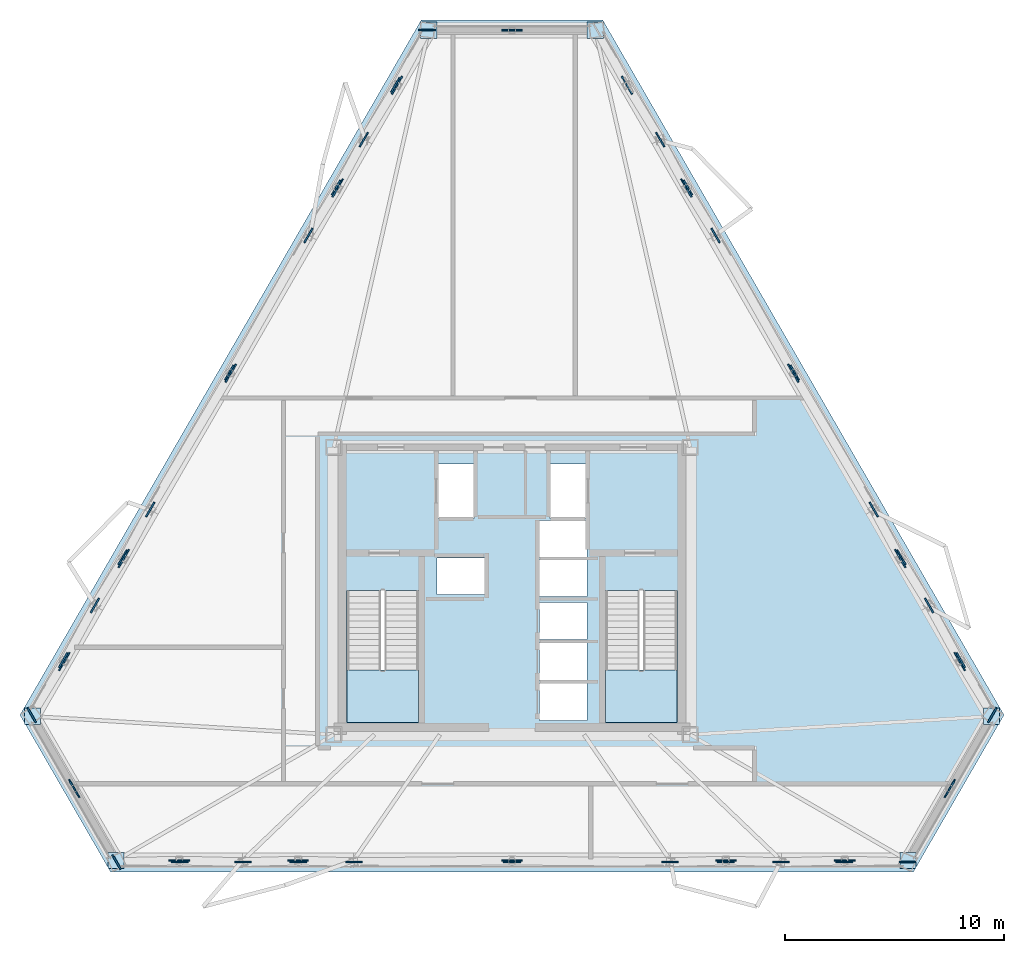
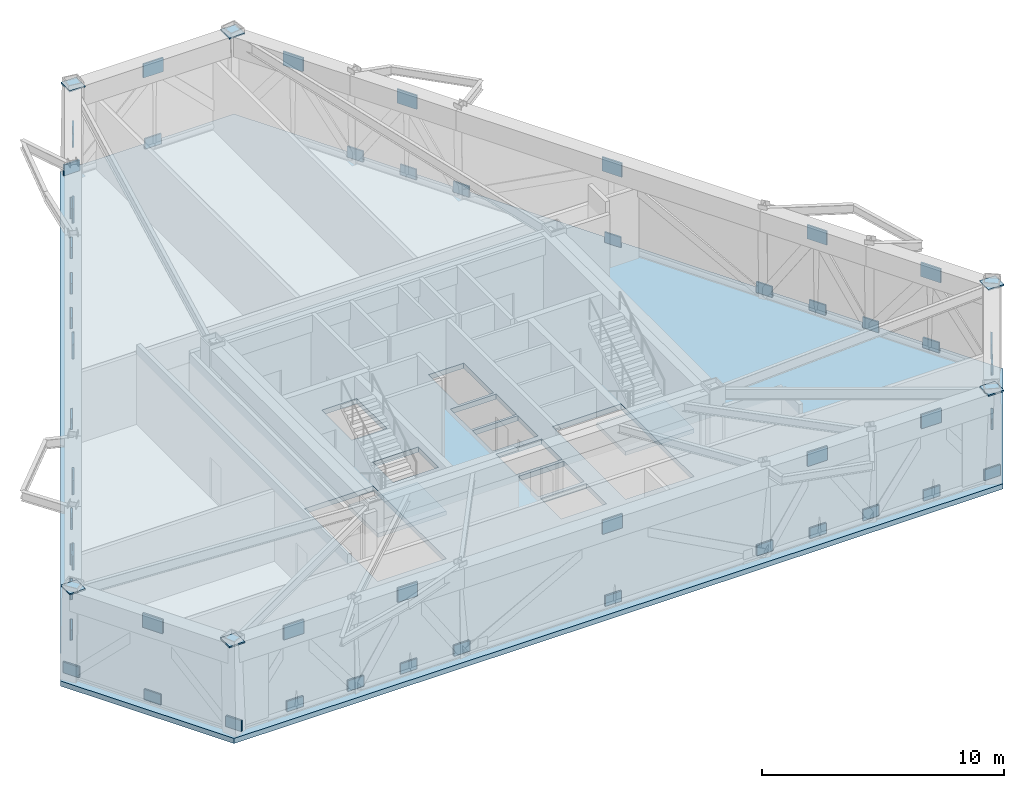
# One storey, part 5 of 10: 58 plates, 3 slabs, 2 elements without a shape of their own.
"""IFC4 building model written with IfcOpenShell, lengths in metres."""

from ifc_helpers import new_model, si_unit, direction, frame, origin, origin_2d, place, context, subcontext, project, spatial, polyline, rectangle, outline, extrude, material, layer, layer_set, type_object, element, aggregate, save


model = new_model("IFC4")

# Units and contexts
model_context = context("Model", 3, precision=1e-05, world=origin(), true_north=direction((0.0, 1.0)))
body_context = subcontext(model_context, "Body", "Model", "MODEL_VIEW")
ifc_project = project(units=[si_unit("LENGTHUNIT", "METRE"), si_unit("AREAUNIT", "SQUARE_METRE"), si_unit("VOLUMEUNIT", "CUBIC_METRE"), si_unit("PLANEANGLEUNIT", "RADIAN"), si_unit("MASSUNIT", "GRAM", prefix="KILO")], contexts=[model_context])

# Site, building, storey
site_placement = place(None, origin())
site = spatial("IfcSite", under=ifc_project, at=site_placement, CompositionType="ELEMENT")
building_placement = place(site_placement, origin())
building = spatial("IfcBuilding", under=site, at=building_placement, Name="Oramaril Tower", CompositionType="ELEMENT")
storey_placement = place(building_placement, frame((0.0, 0.0, 189.0)))
storey = spatial("IfcBuildingStorey", under=building, at=storey_placement, Name="L50", CompositionType="ELEMENT", Elevation=189.0)

# Plates
ifc_material_1 = material(Name="Steel ASTM A572 Gr 50", Category="steel")
ifc_layer_1 = layer(ifc_material_1, 0.06494140625)
ifc_layer_set_1 = layer_set([ifc_layer_1], Name="PLT-C65")
plate_type_1 = type_object("IfcPlateType", Name="PLT-C65", PredefinedType="USERDEFINED", material=ifc_layer_set_1)
for number, where, z_axis, x_axis, name in (
    (1, (15.57373046875, 11.839111328125, 4.51513671875), (0.0, 0.0, 1.0), (1.0, 0.0, 0.0), "L50 Column Cap Plate CP-01"),
    (2, (19.3828125, 5.24169921875, 4.51513671875), (0.0, 0.0, 1.0), (1.0, 0.0, 0.0), "L50 Column Cap Plate CP-02"),
    (3, (55.6171875, 5.24169921875, 4.51513671875), (0.0, 0.0, 1.0), (1.0, 0.0, 0.0), "L50 Column Cap Plate CP-03"),
    (4, (59.42626953125, 11.839111328125, 4.51513671875), (0.0, 0.0, 1.0), (1.0, 0.0, 0.0), "L50 Column Cap Plate CP-04"),
    (5, (41.30908203125, 43.21923828125, 4.51513671875), (0.0, 0.0, 1.0), (1.0, 0.0, 0.0), "L50 Column Cap Plate CP-05"),
    (6, (33.69091796875, 43.21923828125, 4.51513671875), (0.0, 0.0, 1.0), (1.0, 0.0, 0.0), "L50 Column Cap Plate CP-06"),
):
    element("IfcPlate", number, at=place(storey_placement, frame(where, z_axis=z_axis, x_axis=x_axis)), inside=storey, type_object=plate_type_1, Name=name, ObjectType="CAP", PredefinedType="USERDEFINED", context=body_context, shape_type="SweptSolid", body=[
        extrude(rectangle(XDim=0.739990234375, YDim=0.739990234375, at=origin_2d()), origin(), (0.0, 0.0, 1.0), 0.06494140625),
    ])
ifc_material_2 = material(Name="Steel ASTM A572 Gr 50", Category="steel")
ifc_layer_2 = layer(ifc_material_2, 0.074951171875)
ifc_layer_set_2 = layer_set([ifc_layer_2], Name="PLT-G75")
plate_type_2 = type_object("IfcPlateType", Name="PLT-G75", PredefinedType="USERDEFINED", material=ifc_layer_set_2)
plate_1_placement = place(storey_placement, frame((17.478271484375, 8.540283203125, 3.72998046875), z_axis=(0.0, 0.0, 1.0), x_axis=(0.4999984885, -0.866026276448, 0.0)))
element("IfcPlate", 7, at=plate_1_placement, inside=storey, type_object=plate_type_2, Name="L50 Truss Top Gusset Node KN-50A", ObjectType="GUSSET", PredefinedType="USERDEFINED", context=body_context, shape_type="SweptSolid", body=[
    extrude(rectangle(XDim=0.949951171875, YDim=0.074951171875, at=origin_2d()), origin(), (0.0, 0.0, 1.0), 0.699951171875),
])
plate_2_placement = place(storey_placement, frame((17.47021484375, 8.535888671875, 0.110107421875), z_axis=(0.0, 0.0, 1.0), x_axis=(0.4999984885, -0.866026276448, 0.0)))
element("IfcPlate", 8, at=plate_2_placement, inside=storey, type_object=plate_type_2, Name="L50 Truss Mid-Chord Gusset Node KN-50A", ObjectType="GUSSET", PredefinedType="USERDEFINED", context=body_context, shape_type="SweptSolid", body=[
    extrude(rectangle(XDim=0.780029296875, YDim=0.074951171875, at=origin_2d()), origin(), (0.0, 0.0, 1.0), 0.52001953125),
])
for number, where, z_axis, x_axis, name in (
    (9, (15.527587890625, 11.900146484375, 0.119873046875), (0.0, 0.0, 1.0), (0.4999984885, -0.866026276448, 0.0), "L50 Truss Base Gusset Node KN-50A"),
    (10, (19.41259765625, 5.17138671875, 0.119873046875), (0.0, 0.0, 1.0), (0.4999984885, -0.866026276448, 0.0), "L50 Truss Base Gusset Node KN-50A"),
):
    element("IfcPlate", number, at=place(storey_placement, frame(where, z_axis=z_axis, x_axis=x_axis)), inside=storey, type_object=plate_type_2, Name=name, ObjectType="GUSSET", PredefinedType="USERDEFINED", context=body_context, shape_type="SweptSolid", body=[
        extrude(rectangle(XDim=0.760009765625, YDim=0.074951171875, at=origin_2d()), origin(), (0.0, 0.0, 1.0), 0.5400390625),
    ])
plate_3_placement = place(storey_placement, frame((22.281494140625, 5.24169921875, 3.72998046875), z_axis=(0.0, 0.0, 1.0), x_axis=(1.0, 0.0, 0.0)))
element("IfcPlate", 11, at=plate_3_placement, inside=storey, type_object=plate_type_2, Name="L50 Truss Top Gusset Node KN-50A", ObjectType="GUSSET", PredefinedType="USERDEFINED", context=body_context, shape_type="SweptSolid", body=[
    extrude(rectangle(XDim=0.949951171875, YDim=0.074951171875, at=origin_2d()), origin(), (0.0, 0.0, 1.0), 0.699951171875),
])
plate_4_placement = place(storey_placement, frame((22.306396484375, 5.17138671875, 0.110107421875), z_axis=(0.0, 0.0, 1.0), x_axis=(1.0, 0.0, 0.0)))
element("IfcPlate", 12, at=plate_4_placement, inside=storey, type_object=plate_type_2, Name="L50 Truss Mid-Chord Gusset Node KN-50A", ObjectType="GUSSET", PredefinedType="USERDEFINED", context=body_context, shape_type="SweptSolid", body=[
    extrude(rectangle(XDim=0.780029296875, YDim=0.074951171875, at=origin_2d()), origin(), (0.0, 0.0, 1.0), 0.52001953125),
])
plate_5_placement = place(storey_placement, frame((25.200439453125, 5.17138671875, 0.119873046875), z_axis=(0.0, 0.0, 1.0), x_axis=(1.0, 0.0, 0.0)))
element("IfcPlate", 13, at=plate_5_placement, inside=storey, type_object=plate_type_2, Name="L50 Truss Base Gusset Node KN-50A", ObjectType="GUSSET", PredefinedType="USERDEFINED", context=body_context, shape_type="SweptSolid", body=[
    extrude(rectangle(XDim=0.760009765625, YDim=0.074951171875, at=origin_2d()), origin(), (0.0, 0.0, 1.0), 0.5400390625),
])
plate_6_placement = place(storey_placement, frame((27.716796875, 5.24169921875, 3.72998046875), z_axis=(0.0, 0.0, 1.0), x_axis=(1.0, 0.0, 0.0)))
element("IfcPlate", 14, at=plate_6_placement, inside=storey, type_object=plate_type_2, Name="L50 Truss Top Gusset Node KN-50A", ObjectType="GUSSET", PredefinedType="USERDEFINED", context=body_context, shape_type="SweptSolid", body=[
    extrude(rectangle(XDim=0.949951171875, YDim=0.074951171875, at=origin_2d()), origin(), (0.0, 0.0, 1.0), 0.699951171875),
])
plate_7_placement = place(storey_placement, frame((27.73291015625, 5.17138671875, 0.110107421875), z_axis=(0.0, 0.0, 1.0), x_axis=(1.0, 0.0, 0.0)))
element("IfcPlate", 15, at=plate_7_placement, inside=storey, type_object=plate_type_2, Name="L50 Truss Mid-Chord Gusset Node KN-50A", ObjectType="GUSSET", PredefinedType="USERDEFINED", context=body_context, shape_type="SweptSolid", body=[
    extrude(rectangle(XDim=0.780029296875, YDim=0.074951171875, at=origin_2d()), origin(), (0.0, 0.0, 1.0), 0.52001953125),
])
plate_8_placement = place(storey_placement, frame((30.264892578125, 5.17138671875, 0.119873046875), z_axis=(0.0, 0.0, 1.0), x_axis=(1.0, 0.0, 0.0)))
element("IfcPlate", 16, at=plate_8_placement, inside=storey, type_object=plate_type_2, Name="L50 Truss Base Gusset Node KN-50A", ObjectType="GUSSET", PredefinedType="USERDEFINED", context=body_context, shape_type="SweptSolid", body=[
    extrude(rectangle(XDim=0.760009765625, YDim=0.074951171875, at=origin_2d()), origin(), (0.0, 0.0, 1.0), 0.5400390625),
])
plate_9_placement = place(storey_placement, frame((37.5, 5.24169921875, 3.72998046875), z_axis=(0.0, 0.0, 1.0), x_axis=(1.0, 0.0, 0.0)))
element("IfcPlate", 17, at=plate_9_placement, inside=storey, type_object=plate_type_2, Name="L50 Truss Top Gusset Node KN-50A", ObjectType="GUSSET", PredefinedType="USERDEFINED", context=body_context, shape_type="SweptSolid", body=[
    extrude(rectangle(XDim=0.949951171875, YDim=0.074951171875, at=origin_2d()), origin(), (0.0, 0.0, 1.0), 0.699951171875),
])
plate_10_placement = place(storey_placement, frame((37.5, 5.17138671875, 0.110107421875), z_axis=(0.0, 0.0, 1.0), x_axis=(1.0, 0.0, 0.0)))
element("IfcPlate", 18, at=plate_10_placement, inside=storey, type_object=plate_type_2, Name="L50 Truss Mid-Chord Gusset Node KN-50A", ObjectType="GUSSET", PredefinedType="USERDEFINED", context=body_context, shape_type="SweptSolid", body=[
    extrude(rectangle(XDim=0.780029296875, YDim=0.074951171875, at=origin_2d()), origin(), (0.0, 0.0, 1.0), 0.52001953125),
])
plate_11_placement = place(storey_placement, frame((44.735107421875, 5.17138671875, 0.119873046875), z_axis=(0.0, 0.0, 1.0), x_axis=(1.0, 0.0, 0.0)))
element("IfcPlate", 19, at=plate_11_placement, inside=storey, type_object=plate_type_2, Name="L50 Truss Base Gusset Node KN-50A", ObjectType="GUSSET", PredefinedType="USERDEFINED", context=body_context, shape_type="SweptSolid", body=[
    extrude(rectangle(XDim=0.760009765625, YDim=0.074951171875, at=origin_2d()), origin(), (0.0, 0.0, 1.0), 0.5400390625),
])
plate_12_placement = place(storey_placement, frame((47.283203125, 5.24169921875, 3.72998046875), z_axis=(0.0, 0.0, 1.0), x_axis=(1.0, 0.0, 0.0)))
element("IfcPlate", 20, at=plate_12_placement, inside=storey, type_object=plate_type_2, Name="L50 Truss Top Gusset Node KN-50A", ObjectType="GUSSET", PredefinedType="USERDEFINED", context=body_context, shape_type="SweptSolid", body=[
    extrude(rectangle(XDim=0.949951171875, YDim=0.074951171875, at=origin_2d()), origin(), (0.0, 0.0, 1.0), 0.699951171875),
])
plate_13_placement = place(storey_placement, frame((47.267333984375, 5.17138671875, 0.110107421875), z_axis=(0.0, 0.0, 1.0), x_axis=(1.0, 0.0, 0.0)))
element("IfcPlate", 21, at=plate_13_placement, inside=storey, type_object=plate_type_2, Name="L50 Truss Mid-Chord Gusset Node KN-50A", ObjectType="GUSSET", PredefinedType="USERDEFINED", context=body_context, shape_type="SweptSolid", body=[
    extrude(rectangle(XDim=0.780029296875, YDim=0.074951171875, at=origin_2d()), origin(), (0.0, 0.0, 1.0), 0.52001953125),
])
plate_14_placement = place(storey_placement, frame((49.799560546875, 5.17138671875, 0.119873046875), z_axis=(0.0, 0.0, 1.0), x_axis=(1.0, 0.0, 0.0)))
element("IfcPlate", 22, at=plate_14_placement, inside=storey, type_object=plate_type_2, Name="L50 Truss Base Gusset Node KN-50A", ObjectType="GUSSET", PredefinedType="USERDEFINED", context=body_context, shape_type="SweptSolid", body=[
    extrude(rectangle(XDim=0.760009765625, YDim=0.074951171875, at=origin_2d()), origin(), (0.0, 0.0, 1.0), 0.5400390625),
])
plate_15_placement = place(storey_placement, frame((52.718505859375, 5.24169921875, 3.72998046875), z_axis=(0.0, 0.0, 1.0), x_axis=(1.0, 0.0, 0.0)))
element("IfcPlate", 23, at=plate_15_placement, inside=storey, type_object=plate_type_2, Name="L50 Truss Top Gusset Node KN-50A", ObjectType="GUSSET", PredefinedType="USERDEFINED", context=body_context, shape_type="SweptSolid", body=[
    extrude(rectangle(XDim=0.949951171875, YDim=0.074951171875, at=origin_2d()), origin(), (0.0, 0.0, 1.0), 0.699951171875),
])
plate_16_placement = place(storey_placement, frame((52.693603515625, 5.17138671875, 0.110107421875), z_axis=(0.0, 0.0, 1.0), x_axis=(1.0, 0.0, 0.0)))
element("IfcPlate", 24, at=plate_16_placement, inside=storey, type_object=plate_type_2, Name="L50 Truss Mid-Chord Gusset Node KN-50A", ObjectType="GUSSET", PredefinedType="USERDEFINED", context=body_context, shape_type="SweptSolid", body=[
    extrude(rectangle(XDim=0.780029296875, YDim=0.074951171875, at=origin_2d()), origin(), (0.0, 0.0, 1.0), 0.52001953125),
])
plate_17_placement = place(storey_placement, frame((55.58740234375, 5.17138671875, 0.119873046875), z_axis=(0.0, 0.0, 1.0), x_axis=(1.0, 0.0, 0.0)))
element("IfcPlate", 25, at=plate_17_placement, inside=storey, type_object=plate_type_2, Name="L50 Truss Base Gusset Node KN-50A", ObjectType="GUSSET", PredefinedType="USERDEFINED", context=body_context, shape_type="SweptSolid", body=[
    extrude(rectangle(XDim=0.760009765625, YDim=0.074951171875, at=origin_2d()), origin(), (0.0, 0.0, 1.0), 0.5400390625),
])
plate_18_placement = place(storey_placement, frame((57.521728515625, 8.540283203125, 3.72998046875), z_axis=(0.0, 0.0, 1.0), x_axis=(0.4999984885, 0.866026276448, 0.0)))
element("IfcPlate", 26, at=plate_18_placement, inside=storey, type_object=plate_type_2, Name="L50 Truss Top Gusset Node KN-50B", ObjectType="GUSSET", PredefinedType="USERDEFINED", context=body_context, shape_type="SweptSolid", body=[
    extrude(rectangle(XDim=0.949951171875, YDim=0.074951171875, at=origin_2d()), origin(), (0.0, 0.0, 1.0), 0.699951171875),
])
plate_19_placement = place(storey_placement, frame((57.52978515625, 8.535888671875, 0.110107421875), z_axis=(0.0, 0.0, 1.0), x_axis=(0.4999984885, 0.866026276448, 0.0)))
element("IfcPlate", 27, at=plate_19_placement, inside=storey, type_object=plate_type_2, Name="L50 Truss Mid-Chord Gusset Node KN-50B", ObjectType="GUSSET", PredefinedType="USERDEFINED", context=body_context, shape_type="SweptSolid", body=[
    extrude(rectangle(XDim=0.780029296875, YDim=0.074951171875, at=origin_2d()), origin(), (0.0, 0.0, 1.0), 0.52001953125),
])
plate_20_placement = place(storey_placement, frame((59.472412109375, 11.900146484375, 0.119873046875), z_axis=(0.0, 0.0, 1.0), x_axis=(0.4999984885, 0.866026276448, 0.0)))
element("IfcPlate", 28, at=plate_20_placement, inside=storey, type_object=plate_type_2, Name="L50 Truss Base Gusset Node KN-50B", ObjectType="GUSSET", PredefinedType="USERDEFINED", context=body_context, shape_type="SweptSolid", body=[
    extrude(rectangle(XDim=0.760009765625, YDim=0.074951171875, at=origin_2d()), origin(), (0.0, 0.0, 1.0), 0.5400390625),
])
plate_21_placement = place(storey_placement, frame((57.976806640625, 14.349609375, 3.72998046875), z_axis=(0.0, 0.0, 1.0), x_axis=(-0.499996976998, 0.866027149108, 0.0)))
element("IfcPlate", 29, at=plate_21_placement, inside=storey, type_object=plate_type_2, Name="L50 Truss Top Gusset Node KN-50B", ObjectType="GUSSET", PredefinedType="USERDEFINED", context=body_context, shape_type="SweptSolid", body=[
    extrude(rectangle(XDim=0.949951171875, YDim=0.074951171875, at=origin_2d()), origin(), (0.0, 0.0, 1.0), 0.699951171875),
])
plate_22_placement = place(storey_placement, frame((58.025390625, 14.406494140625, 0.110107421875), z_axis=(0.0, 0.0, 1.0), x_axis=(-0.499996976998, 0.866027149108, 0.0)))
element("IfcPlate", 30, at=plate_22_placement, inside=storey, type_object=plate_type_2, Name="L50 Truss Mid-Chord Gusset Node KN-50B", ObjectType="GUSSET", PredefinedType="USERDEFINED", context=body_context, shape_type="SweptSolid", body=[
    extrude(rectangle(XDim=0.780029296875, YDim=0.074951171875, at=origin_2d()), origin(), (0.0, 0.0, 1.0), 0.52001953125),
])
plate_23_placement = place(storey_placement, frame((56.578369140625, 16.91259765625, 0.119873046875), z_axis=(0.0, 0.0, 1.0), x_axis=(-0.499996976998, 0.866027149108, 0.0)))
element("IfcPlate", 31, at=plate_23_placement, inside=storey, type_object=plate_type_2, Name="L50 Truss Base Gusset Node KN-50B", ObjectType="GUSSET", PredefinedType="USERDEFINED", context=body_context, shape_type="SweptSolid", body=[
    extrude(rectangle(XDim=0.760009765625, YDim=0.074951171875, at=origin_2d()), origin(), (0.0, 0.0, 1.0), 0.5400390625),
])
plate_24_placement = place(storey_placement, frame((55.25927734375, 19.056396484375, 3.72998046875), z_axis=(0.0, 0.0, 1.0), x_axis=(-0.500015114919, 0.866016677006, 0.0)))
element("IfcPlate", 32, at=plate_24_placement, inside=storey, type_object=plate_type_2, Name="L50 Truss Top Gusset Node KN-50B", ObjectType="GUSSET", PredefinedType="USERDEFINED", context=body_context, shape_type="SweptSolid", body=[
    extrude(rectangle(XDim=0.949951171875, YDim=0.074951171875, at=origin_2d()), origin(), (0.0, 0.0, 1.0), 0.699951171875),
])
plate_25_placement = place(storey_placement, frame((55.312255859375, 19.105712890625, 0.110107421875), z_axis=(0.0, 0.0, 1.0), x_axis=(-0.500015114919, 0.866016677006, 0.0)))
element("IfcPlate", 33, at=plate_25_placement, inside=storey, type_object=plate_type_2, Name="L50 Truss Mid-Chord Gusset Node KN-50B", ObjectType="GUSSET", PredefinedType="USERDEFINED", context=body_context, shape_type="SweptSolid", body=[
    extrude(rectangle(XDim=0.780029296875, YDim=0.074951171875, at=origin_2d()), origin(), (0.0, 0.0, 1.0), 0.52001953125),
])
plate_26_placement = place(storey_placement, frame((54.0458984375, 21.298583984375, 0.119873046875), z_axis=(0.0, 0.0, 1.0), x_axis=(-0.500015114919, 0.866016677006, 0.0)))
element("IfcPlate", 34, at=plate_26_placement, inside=storey, type_object=plate_type_2, Name="L50 Truss Base Gusset Node KN-50B", ObjectType="GUSSET", PredefinedType="USERDEFINED", context=body_context, shape_type="SweptSolid", body=[
    extrude(rectangle(XDim=0.760009765625, YDim=0.074951171875, at=origin_2d()), origin(), (0.0, 0.0, 1.0), 0.5400390625),
])
plate_27_placement = place(storey_placement, frame((50.36767578125, 27.529296875, 3.72998046875), z_axis=(0.0, 0.0, 1.0), x_axis=(-0.5, 0.866025403784, 0.0)))
element("IfcPlate", 35, at=plate_27_placement, inside=storey, type_object=plate_type_2, Name="L50 Truss Top Gusset Node KN-50B", ObjectType="GUSSET", PredefinedType="USERDEFINED", context=body_context, shape_type="SweptSolid", body=[
    extrude(rectangle(XDim=0.949951171875, YDim=0.074951171875, at=origin_2d()), origin(), (0.0, 0.0, 1.0), 0.699951171875),
])
plate_28_placement = place(storey_placement, frame((50.428466796875, 27.564208984375, 0.110107421875), z_axis=(0.0, 0.0, 1.0), x_axis=(-0.5, 0.866025403784, 0.0)))
element("IfcPlate", 36, at=plate_28_placement, inside=storey, type_object=plate_type_2, Name="L50 Truss Mid-Chord Gusset Node KN-50B", ObjectType="GUSSET", PredefinedType="USERDEFINED", context=body_context, shape_type="SweptSolid", body=[
    extrude(rectangle(XDim=0.780029296875, YDim=0.074951171875, at=origin_2d()), origin(), (0.0, 0.0, 1.0), 0.52001953125),
])
plate_29_placement = place(storey_placement, frame((46.81103515625, 33.830078125, 0.119873046875), z_axis=(0.0, 0.0, 1.0), x_axis=(-0.5, 0.866025403784, 0.0)))
element("IfcPlate", 37, at=plate_29_placement, inside=storey, type_object=plate_type_2, Name="L50 Truss Base Gusset Node KN-50B", ObjectType="GUSSET", PredefinedType="USERDEFINED", context=body_context, shape_type="SweptSolid", body=[
    extrude(rectangle(XDim=0.760009765625, YDim=0.074951171875, at=origin_2d()), origin(), (0.0, 0.0, 1.0), 0.5400390625),
])
plate_30_placement = place(storey_placement, frame((45.47607421875, 36.001708984375, 3.72998046875), z_axis=(0.0, 0.0, 1.0), x_axis=(-0.499990930976, 0.866030639725, 0.0)))
element("IfcPlate", 38, at=plate_30_placement, inside=storey, type_object=plate_type_2, Name="L50 Truss Top Gusset Node KN-50B", ObjectType="GUSSET", PredefinedType="USERDEFINED", context=body_context, shape_type="SweptSolid", body=[
    extrude(rectangle(XDim=0.949951171875, YDim=0.074951171875, at=origin_2d()), origin(), (0.0, 0.0, 1.0), 0.699951171875),
])
plate_31_placement = place(storey_placement, frame((45.544921875, 36.02294921875, 0.110107421875), z_axis=(0.0, 0.0, 1.0), x_axis=(-0.499990930976, 0.866030639725, 0.0)))
element("IfcPlate", 39, at=plate_31_placement, inside=storey, type_object=plate_type_2, Name="L50 Truss Mid-Chord Gusset Node KN-50B", ObjectType="GUSSET", PredefinedType="USERDEFINED", context=body_context, shape_type="SweptSolid", body=[
    extrude(rectangle(XDim=0.780029296875, YDim=0.074951171875, at=origin_2d()), origin(), (0.0, 0.0, 1.0), 0.52001953125),
])
plate_32_placement = place(storey_placement, frame((44.27880859375, 38.216064453125, 0.119873046875), z_axis=(0.0, 0.0, 1.0), x_axis=(-0.499990930976, 0.866030639725, 0.0)))
element("IfcPlate", 40, at=plate_32_placement, inside=storey, type_object=plate_type_2, Name="L50 Truss Base Gusset Node KN-50B", ObjectType="GUSSET", PredefinedType="USERDEFINED", context=body_context, shape_type="SweptSolid", body=[
    extrude(rectangle(XDim=0.760009765625, YDim=0.074951171875, at=origin_2d()), origin(), (0.0, 0.0, 1.0), 0.5400390625),
])
for number, where, z_axis, x_axis, name in (
    (41, (42.75830078125, 40.708740234375, 3.72998046875), (0.0, 0.0, 1.0), (-0.499996976998, 0.866027149108, 0.0), "L50 Truss Top Gusset Node KN-50B"),
    (42, (37.5, 43.21923828125, 3.72998046875), (0.0, 0.0, 1.0), (-1.0, 0.0, 0.0), "L50 Truss Top Gusset Node KN-50C"),
):
    element("IfcPlate", number, at=place(storey_placement, frame(where, z_axis=z_axis, x_axis=x_axis)), inside=storey, type_object=plate_type_2, Name=name, ObjectType="GUSSET", PredefinedType="USERDEFINED", context=body_context, shape_type="SweptSolid", body=[
        extrude(rectangle(XDim=0.949951171875, YDim=0.074951171875, at=origin_2d()), origin(), (0.0, 0.0, 1.0), 0.699951171875),
    ])
plate_33_placement = place(storey_placement, frame((37.5, 43.228515625, 0.110107421875), z_axis=(0.0, 0.0, 1.0), x_axis=(-1.0, 0.0, 0.0)))
element("IfcPlate", 43, at=plate_33_placement, inside=storey, type_object=plate_type_2, Name="L50 Truss Mid-Chord Gusset Node KN-50C", ObjectType="GUSSET", PredefinedType="USERDEFINED", context=body_context, shape_type="SweptSolid", body=[
    extrude(rectangle(XDim=0.780029296875, YDim=0.074951171875, at=origin_2d()), origin(), (0.0, 0.0, 1.0), 0.52001953125),
])
plate_34_placement = place(storey_placement, frame((33.615234375, 43.228515625, 0.119873046875), z_axis=(0.0, 0.0, 1.0), x_axis=(-1.0, 0.0, 0.0)))
element("IfcPlate", 44, at=plate_34_placement, inside=storey, type_object=plate_type_2, Name="L50 Truss Base Gusset Node KN-50C", ObjectType="GUSSET", PredefinedType="USERDEFINED", context=body_context, shape_type="SweptSolid", body=[
    extrude(rectangle(XDim=0.760009765625, YDim=0.074951171875, at=origin_2d()), origin(), (0.0, 0.0, 1.0), 0.5400390625),
])
plate_35_placement = place(storey_placement, frame((32.24169921875, 40.708740234375, 3.72998046875), z_axis=(0.0, 0.0, 1.0), x_axis=(-0.499996976998, -0.866027149108, 0.0)))
element("IfcPlate", 45, at=plate_35_placement, inside=storey, type_object=plate_type_2, Name="L50 Truss Top Gusset Node KN-50C", ObjectType="GUSSET", PredefinedType="USERDEFINED", context=body_context, shape_type="SweptSolid", body=[
    extrude(rectangle(XDim=0.949951171875, YDim=0.074951171875, at=origin_2d()), origin(), (0.0, 0.0, 1.0), 0.699951171875),
])
plate_36_placement = place(storey_placement, frame((32.168212890625, 40.722412109375, 0.110107421875), z_axis=(0.0, 0.0, 1.0), x_axis=(-0.499996976998, -0.866027149108, 0.0)))
element("IfcPlate", 46, at=plate_36_placement, inside=storey, type_object=plate_type_2, Name="L50 Truss Mid-Chord Gusset Node KN-50C", ObjectType="GUSSET", PredefinedType="USERDEFINED", context=body_context, shape_type="SweptSolid", body=[
    extrude(rectangle(XDim=0.780029296875, YDim=0.074951171875, at=origin_2d()), origin(), (0.0, 0.0, 1.0), 0.52001953125),
])
plate_37_placement = place(storey_placement, frame((30.72119140625, 38.216064453125, 0.119873046875), z_axis=(0.0, 0.0, 1.0), x_axis=(-0.499996976998, -0.866027149108, 0.0)))
element("IfcPlate", 47, at=plate_37_placement, inside=storey, type_object=plate_type_2, Name="L50 Truss Base Gusset Node KN-50C", ObjectType="GUSSET", PredefinedType="USERDEFINED", context=body_context, shape_type="SweptSolid", body=[
    extrude(rectangle(XDim=0.760009765625, YDim=0.074951171875, at=origin_2d()), origin(), (0.0, 0.0, 1.0), 0.5400390625),
])
plate_38_placement = place(storey_placement, frame((29.52392578125, 36.001708984375, 3.72998046875), z_axis=(0.0, 0.0, 1.0), x_axis=(-0.499990930976, -0.866030639725, 0.0)))
element("IfcPlate", 48, at=plate_38_placement, inside=storey, type_object=plate_type_2, Name="L50 Truss Top Gusset Node KN-50C", ObjectType="GUSSET", PredefinedType="USERDEFINED", context=body_context, shape_type="SweptSolid", body=[
    extrude(rectangle(XDim=0.949951171875, YDim=0.074951171875, at=origin_2d()), origin(), (0.0, 0.0, 1.0), 0.699951171875),
])
plate_39_placement = place(storey_placement, frame((29.455078125, 36.02294921875, 0.110107421875), z_axis=(0.0, 0.0, 1.0), x_axis=(-0.499990930976, -0.866030639725, 0.0)))
element("IfcPlate", 49, at=plate_39_placement, inside=storey, type_object=plate_type_2, Name="L50 Truss Mid-Chord Gusset Node KN-50C", ObjectType="GUSSET", PredefinedType="USERDEFINED", context=body_context, shape_type="SweptSolid", body=[
    extrude(rectangle(XDim=0.780029296875, YDim=0.074951171875, at=origin_2d()), origin(), (0.0, 0.0, 1.0), 0.52001953125),
])
plate_40_placement = place(storey_placement, frame((28.18896484375, 33.830078125, 0.119873046875), z_axis=(0.0, 0.0, 1.0), x_axis=(-0.499990930976, -0.866030639725, 0.0)))
element("IfcPlate", 50, at=plate_40_placement, inside=storey, type_object=plate_type_2, Name="L50 Truss Base Gusset Node KN-50C", ObjectType="GUSSET", PredefinedType="USERDEFINED", context=body_context, shape_type="SweptSolid", body=[
    extrude(rectangle(XDim=0.760009765625, YDim=0.074951171875, at=origin_2d()), origin(), (0.0, 0.0, 1.0), 0.5400390625),
])
plate_41_placement = place(storey_placement, frame((24.63232421875, 27.529296875, 3.72998046875), z_axis=(0.0, 0.0, 1.0), x_axis=(-0.500007557478, -0.866021040428, 0.0)))
element("IfcPlate", 51, at=plate_41_placement, inside=storey, type_object=plate_type_2, Name="L50 Truss Top Gusset Node KN-50C", ObjectType="GUSSET", PredefinedType="USERDEFINED", context=body_context, shape_type="SweptSolid", body=[
    extrude(rectangle(XDim=0.949951171875, YDim=0.074951171875, at=origin_2d()), origin(), (0.0, 0.0, 1.0), 0.699951171875),
])
plate_42_placement = place(storey_placement, frame((24.5712890625, 27.564208984375, 0.110107421875), z_axis=(0.0, 0.0, 1.0), x_axis=(-0.500007557478, -0.866021040428, 0.0)))
element("IfcPlate", 52, at=plate_42_placement, inside=storey, type_object=plate_type_2, Name="L50 Truss Mid-Chord Gusset Node KN-50C", ObjectType="GUSSET", PredefinedType="USERDEFINED", context=body_context, shape_type="SweptSolid", body=[
    extrude(rectangle(XDim=0.780029296875, YDim=0.074951171875, at=origin_2d()), origin(), (0.0, 0.0, 1.0), 0.52001953125),
])
plate_43_placement = place(storey_placement, frame((20.953857421875, 21.298583984375, 0.119873046875), z_axis=(0.0, 0.0, 1.0), x_axis=(-0.500007557478, -0.866021040428, 0.0)))
element("IfcPlate", 53, at=plate_43_placement, inside=storey, type_object=plate_type_2, Name="L50 Truss Base Gusset Node KN-50C", ObjectType="GUSSET", PredefinedType="USERDEFINED", context=body_context, shape_type="SweptSolid", body=[
    extrude(rectangle(XDim=0.760009765625, YDim=0.074951171875, at=origin_2d()), origin(), (0.0, 0.0, 1.0), 0.5400390625),
])
plate_44_placement = place(storey_placement, frame((19.74072265625, 19.056396484375, 3.72998046875), z_axis=(0.0, 0.0, 1.0), x_axis=(-0.499990930976, -0.866030639725, 0.0)))
element("IfcPlate", 54, at=plate_44_placement, inside=storey, type_object=plate_type_2, Name="L50 Truss Top Gusset Node KN-50C", ObjectType="GUSSET", PredefinedType="USERDEFINED", context=body_context, shape_type="SweptSolid", body=[
    extrude(rectangle(XDim=0.949951171875, YDim=0.074951171875, at=origin_2d()), origin(), (0.0, 0.0, 1.0), 0.699951171875),
])
plate_45_placement = place(storey_placement, frame((19.687744140625, 19.105712890625, 0.110107421875), z_axis=(0.0, 0.0, 1.0), x_axis=(-0.499990930976, -0.866030639725, 0.0)))
element("IfcPlate", 55, at=plate_45_placement, inside=storey, type_object=plate_type_2, Name="L50 Truss Mid-Chord Gusset Node KN-50C", ObjectType="GUSSET", PredefinedType="USERDEFINED", context=body_context, shape_type="SweptSolid", body=[
    extrude(rectangle(XDim=0.780029296875, YDim=0.074951171875, at=origin_2d()), origin(), (0.0, 0.0, 1.0), 0.52001953125),
])
plate_46_placement = place(storey_placement, frame((18.421630859375, 16.91259765625, 0.119873046875), z_axis=(0.0, 0.0, 1.0), x_axis=(-0.499990930976, -0.866030639725, 0.0)))
element("IfcPlate", 56, at=plate_46_placement, inside=storey, type_object=plate_type_2, Name="L50 Truss Base Gusset Node KN-50C", ObjectType="GUSSET", PredefinedType="USERDEFINED", context=body_context, shape_type="SweptSolid", body=[
    extrude(rectangle(XDim=0.760009765625, YDim=0.074951171875, at=origin_2d()), origin(), (0.0, 0.0, 1.0), 0.5400390625),
])
plate_47_placement = place(storey_placement, frame((17.023193359375, 14.349609375, 3.72998046875), z_axis=(0.0, 0.0, 1.0), x_axis=(-0.499996976998, -0.866027149108, 0.0)))
element("IfcPlate", 57, at=plate_47_placement, inside=storey, type_object=plate_type_2, Name="L50 Truss Top Gusset Node KN-50C", ObjectType="GUSSET", PredefinedType="USERDEFINED", context=body_context, shape_type="SweptSolid", body=[
    extrude(rectangle(XDim=0.949951171875, YDim=0.074951171875, at=origin_2d()), origin(), (0.0, 0.0, 1.0), 0.699951171875),
])
plate_48_placement = place(storey_placement, frame((16.974609375, 14.406494140625, 0.110107421875), z_axis=(0.0, 0.0, 1.0), x_axis=(-0.499996976998, -0.866027149108, 0.0)))
element("IfcPlate", 58, at=plate_48_placement, inside=storey, type_object=plate_type_2, Name="L50 Truss Mid-Chord Gusset Node KN-50C", ObjectType="GUSSET", PredefinedType="USERDEFINED", context=body_context, shape_type="SweptSolid", body=[
    extrude(rectangle(XDim=0.780029296875, YDim=0.074951171875, at=origin_2d()), origin(), (0.0, 0.0, 1.0), 0.52001953125),
])

# Stair, slab
ifc_material_3 = material(Name="Concrete C50/60", Category="concrete")
stair_type = type_object("IfcStairType", Name="STT-DG-4800", PredefinedType="HALF_TURN_STAIR", material=ifc_material_3)
stair_1_placement = place(storey_placement, origin())
stair_1 = element("IfcStair", 59, at=stair_1_placement, inside=storey, type_object=stair_type, Name="L50 Protected PFP Exit Stair ST-1", PredefinedType="HALF_TURN_STAIR")
ifc_material_4 = material(Name="Concrete C50/60", Category="concrete")
ifc_layer_3 = layer(ifc_material_4, 0.199951171875)
ifc_layer_set_3 = layer_set([ifc_layer_3], Name="SLT-LND20")
slab_type_1 = type_object("IfcSlabType", Name="SLT-LND20", PredefinedType="LANDING", material=ifc_layer_set_3)
slab_1_placement = place(storey_placement, frame((0.0, 0.0, 2.199951171875)))
slab_1 = element("IfcSlab", 60, at=slab_1_placement, type_object=slab_type_1, Name="ST-1 landing 1", PredefinedType="LANDING", context=body_context, shape_type="SweptSolid", body=[
    extrude(outline(polyline([(29.949951171875, 13.949951171875), (29.949951171875, 11.550048828125), (33.219970703125, 11.550048828125), (33.219970703125, 13.949951171875), (29.949951171875, 13.949951171875)])), origin(), (0.0, 0.0, 1.0), 0.199951171875),
])
aggregate(stair_1, [slab_1])

stair_2_placement = place(storey_placement, origin())
stair_2 = element("IfcStair", 61, at=stair_2_placement, inside=storey, type_object=stair_type, Name="L50 Protected PFP Exit Stair ST-2", PredefinedType="HALF_TURN_STAIR")
slab_2_placement = place(storey_placement, frame((0.0, 0.0, 2.199951171875)))
slab_2 = element("IfcSlab", 62, at=slab_2_placement, type_object=slab_type_1, Name="ST-2 landing 1", PredefinedType="LANDING", context=body_context, shape_type="SweptSolid", body=[
    extrude(outline(polyline([(41.780029296875, 13.949951171875), (41.780029296875, 11.550048828125), (45.050048828125, 11.550048828125), (45.050048828125, 13.949951171875), (41.780029296875, 13.949951171875)])), origin(), (0.0, 0.0, 1.0), 0.199951171875),
])
aggregate(stair_2, [slab_2])

# Slab
ifc_material_5 = material(Name="Concrete C50/60", Category="concrete")
ifc_layer_4 = layer(ifc_material_5, 0.260009765625)
ifc_layer_set_4 = layer_set([ifc_layer_4], Name="SLT-TRF26")
slab_type_2 = type_object("IfcSlabType", Name="SLT-TRF26", PredefinedType="FLOOR", material=ifc_layer_set_4)
slab_3_placement = place(storey_placement, frame((0.0, 0.0, -0.260009765625)))
element("IfcSlab", 63, at=slab_3_placement, inside=storey, type_object=slab_type_2, Name="L50 Structural Floor Slab", PredefinedType="FLOOR", context=body_context, shape_type="SweptSolid", body=[
    extrude(outline(polyline([(14.99658203125, 11.900146484375), (19.14697265625, 4.71142578125), (55.85302734375, 4.71142578125), (60.00341796875, 11.900146484375), (41.650390625, 43.688720703125), (33.349609375, 43.688720703125), (14.99658203125, 11.900146484375)]), holes=[polyline([(29.949951171875, 17.58935546875), (29.949951171875, 11.550048828125), (33.219970703125, 11.550048828125), (33.219970703125, 17.58935546875), (29.949951171875, 17.58935546875)]), polyline([(41.780029296875, 17.58935546875), (41.780029296875, 11.550048828125), (45.050048828125, 11.550048828125), (45.050048828125, 17.58935546875), (41.780029296875, 17.58935546875)]), polyline([(34.110107421875, 20.909912109375), (35.7900390625, 20.909912109375), (35.7900390625, 23.389892578125), (34.110107421875, 23.389892578125), (34.110107421875, 20.909912109375)]), polyline([(39.2099609375, 20.909912109375), (40.889892578125, 20.909912109375), (40.889892578125, 23.389892578125), (39.2099609375, 23.389892578125), (39.2099609375, 20.909912109375)]), polyline([(38.760009765625, 11.659912109375), (40.93994140625, 11.659912109375), (40.93994140625, 13.340087890625), (38.760009765625, 13.340087890625), (38.760009765625, 11.659912109375)]), polyline([(38.760009765625, 13.510009765625), (40.93994140625, 13.510009765625), (40.93994140625, 15.18994140625), (38.760009765625, 15.18994140625), (38.760009765625, 13.510009765625)]), polyline([(38.760009765625, 15.360107421875), (40.93994140625, 15.360107421875), (40.93994140625, 17.0400390625), (38.760009765625, 17.0400390625), (38.760009765625, 15.360107421875)]), polyline([(34.06005859375, 17.409912109375), (36.239990234375, 17.409912109375), (36.239990234375, 19.090087890625), (34.06005859375, 19.090087890625), (34.06005859375, 17.409912109375)]), polyline([(38.760009765625, 17.31005859375), (40.93994140625, 17.31005859375), (40.93994140625, 18.989990234375), (38.760009765625, 18.989990234375), (38.760009765625, 17.31005859375)]), polyline([(38.760009765625, 19.110107421875), (40.93994140625, 19.110107421875), (40.93994140625, 20.7900390625), (38.760009765625, 20.7900390625), (38.760009765625, 19.110107421875)])]), origin(), (0.0, 0.0, 1.0), 0.260009765625),
])

save(model, "model.ifc")
